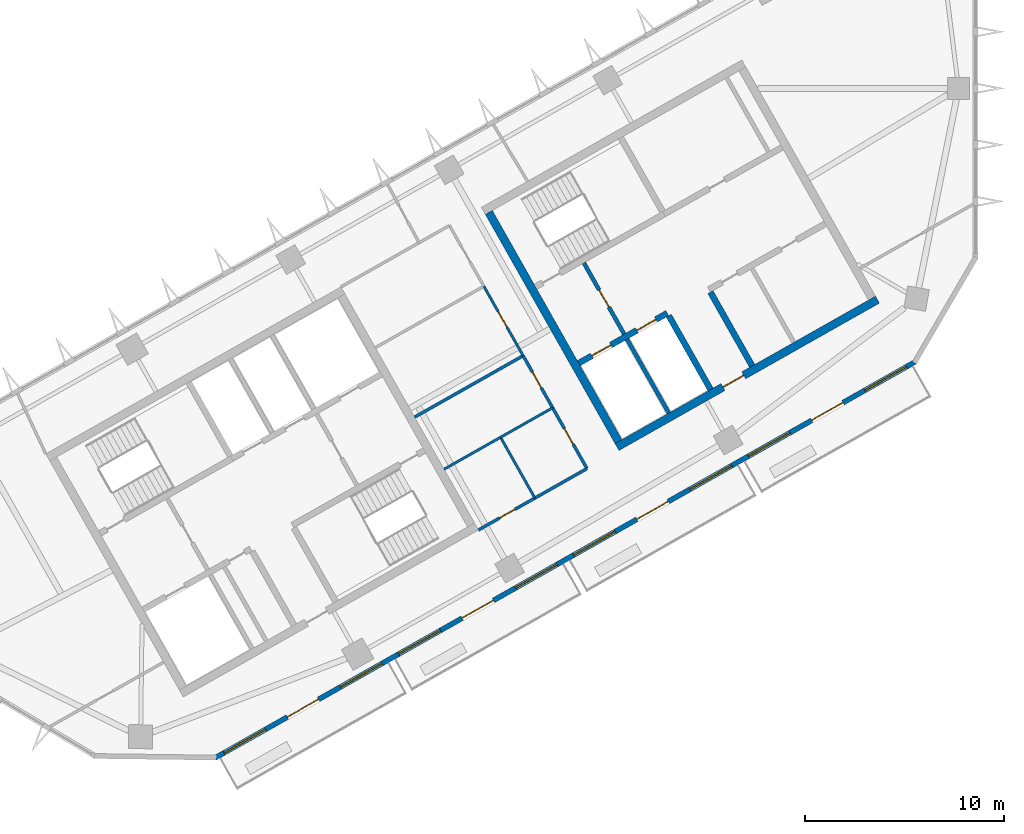
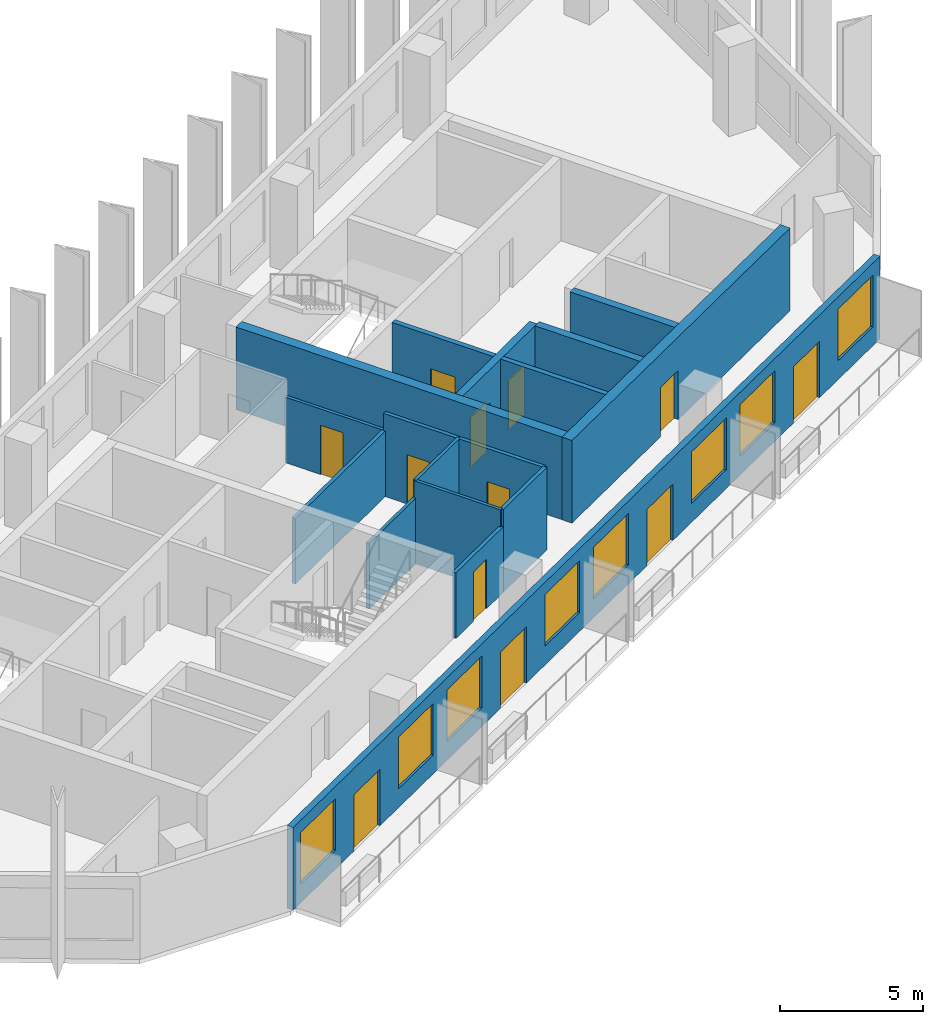
# One storey, part 4 of 8: 17 walls, 12 doors, 8 windows, 20 openings.
"""IFC4 building model written with IfcOpenShell, lengths in metres."""

import ifcopenshell
import ifcopenshell.guid

model = None  # the IFC model being written
_history = None  # IfcOwnerHistory: only IFC2X3 demands one
_inside = {}  # id of a spatial element -> (the spatial element, [elements in it])
_under = {}  # id of a project, library or spatial element -> (it, [spatial elements below it])
_declared = {}  # id of a project -> (the project, [libraries it declares])
_typed = {}  # id of a type object -> (the type object, [elements of that type])
_made_of = {}  # id of a material, layer set ... -> (it, [elements and type objects made of it])


def new_model(schema):
    """Start an empty IFC model of exactly this schema.

    Asked for "IFC4X3", IfcOpenShell would pick the latest addendum, in which some entities
    have other attributes; the version numbers below select the first issue.
    IFC2X3 requires an IfcOwnerHistory on every rooted entity: one is made here for all.
    """
    global model, _history
    if schema == "IFC4X3":
        model = ifcopenshell.file(schema_version=(4, 3, 0, 0))
    else:
        model = ifcopenshell.file(schema=schema)
    _inside.clear()
    _under.clear()
    _declared.clear()
    _typed.clear()
    _made_of.clear()
    _history = None
    if model.schema == "IFC2X3":
        org = make("IfcOrganization", Name="unknown")
        user = make(
            "IfcPersonAndOrganization",
            ThePerson=make("IfcPerson", FamilyName="unknown"),
            TheOrganization=org,
        )
        app = make(
            "IfcApplication",
            ApplicationDeveloper=org,
            Version="unknown",
            ApplicationFullName="unknown",
            ApplicationIdentifier="unknown",
        )
        _history = make(
            "IfcOwnerHistory",
            OwningUser=user,
            OwningApplication=app,
            ChangeAction="ADDED",
            CreationDate=0,
        )
    return model


def make(cls, **values):
    """One entity of the class cls with the attributes given. An attribute that is None is left unset."""
    return model.create_entity(
        cls, **{name: value for name, value in values.items() if value is not None}
    )


def rooted(cls, **values):
    """An entity with a GlobalId (a new one), such as an element, a storey or a relation."""
    return make(cls, GlobalId=ifcopenshell.guid.new(), OwnerHistory=_history, **values)


def si_unit(unit_type, name, prefix=None):
    """IfcSIUnit, for example si_unit("LENGTHUNIT", "METRE", prefix="MILLI")."""
    return make("IfcSIUnit", UnitType=unit_type, Prefix=prefix, Name=name)


def assignment(units):
    """IfcUnitAssignment: the units of a project."""
    return None if units is None else make("IfcUnitAssignment", Units=units)


def point(xyz):
    """IfcCartesianPoint."""
    return None if xyz is None else make("IfcCartesianPoint", Coordinates=xyz)


def direction(xyz):
    """IfcDirection."""
    return None if xyz is None else make("IfcDirection", DirectionRatios=xyz)


def frame(location, z_axis=None, x_axis=None):
    """IfcAxis2Placement3D, a coordinate frame: its origin and axes. An axis left out is left unset."""
    return make(
        "IfcAxis2Placement3D",
        Location=point(location),
        Axis=direction(z_axis),
        RefDirection=direction(x_axis),
    )


def frame_2d(location, x_axis=None):
    """IfcAxis2Placement2D, a coordinate frame in the plane: its origin and x axis."""
    return make(
        "IfcAxis2Placement2D", Location=point(location), RefDirection=direction(x_axis)
    )


def origin():
    """The frame at (0, 0, 0) with its axes left unset."""
    return frame((0.0, 0.0, 0.0))


def place(relative_to, where):
    """IfcLocalPlacement: puts the frame where relative to a parent placement (None: the world)."""
    return make(
        "IfcLocalPlacement", PlacementRelTo=relative_to, RelativePlacement=where
    )


def context(
    kind, dimensions, precision=None, world=None, true_north=None, identifier=None
):
    """IfcGeometricRepresentationContext, for example the 3D "Model" context."""
    return make(
        "IfcGeometricRepresentationContext",
        ContextIdentifier=identifier,
        ContextType=kind,
        CoordinateSpaceDimension=dimensions,
        Precision=precision,
        WorldCoordinateSystem=world,
        TrueNorth=true_north,
    )


def subcontext(parent, identifier, kind, view, scale=None):
    """IfcGeometricRepresentationSubContext, for example "Body" below "Model"."""
    return make(
        "IfcGeometricRepresentationSubContext",
        ContextIdentifier=identifier,
        ContextType=kind,
        ParentContext=parent,
        TargetScale=scale,
        TargetView=view,
    )


def project(units=None, contexts=None):
    """IfcProject with its units and contexts."""
    return rooted(
        "IfcProject",
        Name="project",
        RepresentationContexts=contexts,
        UnitsInContext=assignment(units),
    )


def spatial(cls, under=None, at=None, **own):
    """A site, building, storey or space (cls), placed at a placement, below another one or the project."""
    s = rooted(cls, ObjectPlacement=at, **own)
    if under is not None:
        _under.setdefault(under.id(), (under, []))[1].append(s)
    return s


def profile(cls, at=None, kind="AREA", **sizes):
    """A parametric profile (cls). Its sizes go by their IFC names, for example OverallWidth=200.0."""
    return make(cls, ProfileType=kind, Position=at, **sizes)


def rectangle(**sizes):
    """IfcRectangleProfileDef."""
    return profile("IfcRectangleProfileDef", **sizes)


def extrude(swept, where, along, depth):
    """IfcExtrudedAreaSolid: the profile swept, set in the frame where, extruded along a direction by depth."""
    return make(
        "IfcExtrudedAreaSolid",
        SweptArea=swept,
        Position=where,
        ExtrudedDirection=direction(along),
        Depth=depth,
    )


def shape(context_of_items, identifier, shape_type, items):
    """IfcShapeRepresentation: the items that make up one representation, for example the "Body"."""
    return make(
        "IfcShapeRepresentation",
        ContextOfItems=context_of_items,
        RepresentationIdentifier=identifier,
        RepresentationType=shape_type,
        Items=items,
    )


def material(Name=None, Category=None):
    """IfcMaterial."""
    return make("IfcMaterial", Name=Name, Category=Category)


def layer(
    of_material, thickness, ventilated=None, Name=None, Category=None, Priority=None
):
    """IfcMaterialLayer: one layer of a wall or slab, of a material (None: an air gap)."""
    return make(
        "IfcMaterialLayer",
        Material=of_material,
        LayerThickness=thickness,
        IsVentilated=ventilated,
        Name=Name,
        Category=Category,
        Priority=Priority,
    )


def layer_set(layers, Name=None):
    """IfcMaterialLayerSet."""
    return make("IfcMaterialLayerSet", MaterialLayers=layers, LayerSetName=Name)


def made_of(thing, what):
    """Note that an element or type object is made of a material, layer set ...; save() writes the relation."""
    if what is not None:
        _made_of.setdefault(what.id(), (what, []))[1].append(thing)
    return thing


def type_object(cls, material=None, **own):
    """A type object (cls), such as IfcWallType, which elements share."""
    return made_of(rooted(cls, **own), material)


def element(
    cls,
    number,
    at=None,
    inside=None,
    cuts=None,
    type_object=None,
    material=None,
    context=None,
    identifier="Body",
    shape_type=None,
    held_by="IfcProductDefinitionShape",
    body=None,
    shapes=None,
    **own,
):
    """One element of the class cls, such as IfcWall. Its Tag is "e" and its number.

    at: its placement. inside: the storey or other place that contains it. cuts: it is an
    opening in that element (IfcRelVoidsElement). A single representation is given by context,
    identifier, shape_type and body (its items); several are given by shapes. held_by: the class
    of the entity that holds the representations. save() writes the other relations.
    """
    e = rooted(cls, Tag="e%d" % number, ObjectPlacement=at, **own)
    if body is not None:
        shapes = [shape(context, identifier, shape_type, body)]
    if shapes is not None:
        e.Representation = make(held_by, Representations=shapes)
    if inside is not None:
        _inside.setdefault(inside.id(), (inside, []))[1].append(e)
    if cuts is not None:
        rooted(
            "IfcRelVoidsElement", RelatingBuildingElement=cuts, RelatedOpeningElement=e
        )
    if type_object is not None:
        _typed.setdefault(type_object.id(), (type_object, []))[1].append(e)
    return made_of(e, material)


def fill(opening, filler):
    """IfcRelFillsElement: the door or window that sits in an opening."""
    return rooted(
        "IfcRelFillsElement",
        RelatingOpeningElement=opening,
        RelatedBuildingElement=filler,
    )


def aggregate(whole, parts):
    """IfcRelAggregates: a whole, such as a stair, and the parts it consists of."""
    return rooted("IfcRelAggregates", RelatingObject=whole, RelatedObjects=parts)


def save(model, path):
    """Write the relations noted so far, then the file.

    IfcRelAggregates (storeys below a building ...), IfcRelContainedInSpatialStructure (elements
    in a storey), IfcRelDefinesByType, IfcRelAssociatesMaterial and IfcRelDeclares: one each for
    every whole, place, type object, material and project.
    """
    for whole, parts in _under.values():
        aggregate(whole, parts)
    for where, things in _inside.values():
        rooted(
            "IfcRelContainedInSpatialStructure",
            RelatedElements=things,
            RelatingStructure=where,
        )
    for kind, things in _typed.values():
        rooted("IfcRelDefinesByType", RelatedObjects=things, RelatingType=kind)
    for what, things in _made_of.values():
        rooted("IfcRelAssociatesMaterial", RelatedObjects=things, RelatingMaterial=what)
    for by, libraries in _declared.values():
        rooted("IfcRelDeclares", RelatingContext=by, RelatedDefinitions=libraries)
    model.write(path)


model = new_model("IFC4")

# Units and contexts
model_context = context("Model", 3, precision=1e-05, world=origin(), true_north=direction((0.0, 1.0)))
body_context = subcontext(model_context, "Body", "Model", "MODEL_VIEW")
ifc_project = project(units=[si_unit("LENGTHUNIT", "METRE"), si_unit("AREAUNIT", "SQUARE_METRE"), si_unit("VOLUMEUNIT", "CUBIC_METRE"), si_unit("PLANEANGLEUNIT", "RADIAN"), si_unit("MASSUNIT", "GRAM", prefix="KILO")], contexts=[model_context])

# Site, building, storey
site_placement = place(None, origin())
site = spatial("IfcSite", under=ifc_project, at=site_placement, CompositionType="ELEMENT")
building_placement = place(site_placement, origin())
building = spatial("IfcBuilding", under=site, at=building_placement, Name="Binnacle Exchange Tower", CompositionType="ELEMENT")
storey_placement = place(building_placement, frame((0.0, 0.0, 270.300048828125)))
storey = spatial("IfcBuildingStorey", under=building, at=storey_placement, Name="L60", CompositionType="ELEMENT", Elevation=270.300048828125)

# Wall, openings, doors
ifc_material_1 = material(Name="Concrete C70/85", Category="concrete")
ifc_layer_1 = layer(ifc_material_1, 0.300048828125)
ifc_layer_set_1 = layer_set([ifc_layer_1], Name="Core wall - front 300")
wall_type_1 = type_object("IfcWallType", Name="Core wall - front 300", PredefinedType="SOLIDWALL", material=ifc_layer_set_1)
wall_1_placement = place(storey_placement, frame((-19.89208984375, 46.2177734375, 0.0), z_axis=(0.0, 0.0, 1.0), x_axis=(0.870341639186, 0.492448404505, 0.0)))
wall_1 = element("IfcWall", 1, at=wall_1_placement, inside=storey, type_object=wall_type_1, Name="Core wall CRWC2", PredefinedType="SOLIDWALL", context=body_context, shape_type="SweptSolid", body=[
    extrude(rectangle(XDim=5.099853515625, YDim=0.300048828125, at=frame_2d((2.5498046875, 0.0))), origin(), (0.0, 0.0, 1.0), 3.52001953125),
])
opening_1_placement = place(wall_1_placement, frame((0.75, 0.0, 0.0)))
opening_1 = element("IfcOpeningElement", 2, at=opening_1_placement, cuts=wall_1, Name="Opening LD14", PredefinedType="OPENING", context=body_context, shape_type="SweptSolid", body=[
    extrude(rectangle(XDim=1.10009765625, YDim=2.10009765625, at=frame_2d((0.550048828125, 1.050048828125))), frame((0.0, 0.159912109375, 0.0), z_axis=(0.0, -1.0, 0.0), x_axis=(1.0, 0.0, 0.0)), (0.0, 0.0, 1.0), 0.320068359375),
])
opening_2_placement = place(wall_1_placement, frame((3.35009765625, 0.0, 0.0)))
opening_2 = element("IfcOpeningElement", 3, at=opening_2_placement, cuts=wall_1, Name="Opening LD11", PredefinedType="OPENING", context=body_context, shape_type="SweptSolid", body=[
    extrude(rectangle(XDim=1.10009765625, YDim=2.10009765625, at=frame_2d((0.550048828125, 1.050048828125))), frame((0.0, 0.159912109375, 0.0), z_axis=(0.0, -1.0, 0.0), x_axis=(1.0, 0.0, 0.0)), (0.0, 0.0, 1.0), 0.320068359375),
])
ifc_material_2 = material(Name="Steel door leaf", Category="steel")
door_type_1 = type_object("IfcDoorType", Name="Fire door - lift landing 1100", OperationType="NOTDEFINED", PredefinedType="DOOR", material=ifc_material_2)
door_1_placement = place(opening_1_placement, origin())
door_1 = element("IfcDoor", 4, at=door_1_placement, inside=storey, type_object=door_type_1, Name="Landing door LD14 L60", OperationType="DOUBLE_DOOR_SLIDING", OverallHeight=2.10009765625, OverallWidth=1.10009765625, PredefinedType="DOOR", context=body_context, shape_type="SweptSolid", body=[
    extrude(rectangle(XDim=1.10009765625, YDim=2.10009765625, at=frame_2d((0.550048828125, 1.050048828125))), frame((0.0, 0.02490234375, 0.0), z_axis=(0.0, -1.0, 0.0), x_axis=(1.0, 0.0, 0.0)), (0.0, 0.0, 1.0), 0.050048828125),
])
fill(opening_1, door_1)
door_2_placement = place(opening_2_placement, origin())
door_2 = element("IfcDoor", 5, at=door_2_placement, inside=storey, type_object=door_type_1, Name="Landing door LD11 L60", OperationType="DOUBLE_DOOR_SLIDING", OverallHeight=2.10009765625, OverallWidth=1.10009765625, PredefinedType="DOOR", context=body_context, shape_type="SweptSolid", body=[
    extrude(rectangle(XDim=1.10009765625, YDim=2.10009765625, at=frame_2d((0.550048828125, 1.050048828125))), frame((0.0, 0.02490234375, 0.0), z_axis=(0.0, -1.0, 0.0), x_axis=(1.0, 0.0, 0.0)), (0.0, 0.0, 1.0), 0.050048828125),
])
fill(opening_2, door_2)

# Walls
wall_2_placement = place(storey_placement, frame((-15.37939453125, 48.5986328125, 0.0), z_axis=(0.0, 0.0, 1.0), x_axis=(0.492422543467, -0.870356271124, 0.0)))
element("IfcWall", 6, at=wall_2_placement, inside=storey, type_object=wall_type_1, Name="Core wall CRWC13", PredefinedType="SOLIDWALL", context=body_context, shape_type="SweptSolid", body=[
    extrude(rectangle(XDim=4.25, YDim=0.300048828125, at=frame_2d((2.125, 0.0))), origin(), (0.0, 0.0, 1.0), 3.52001953125),
])
wall_3_placement = place(storey_placement, frame((-13.29052734375, 49.780517578125, 0.0), z_axis=(0.0, 0.0, 1.0), x_axis=(0.492397924348, -0.870370199454, 0.0)))
element("IfcWall", 7, at=wall_3_placement, inside=storey, type_object=wall_type_1, Name="Core wall CRWC15", PredefinedType="SOLIDWALL", context=body_context, shape_type="SweptSolid", body=[
    extrude(rectangle(XDim=4.250244140625, YDim=0.300048828125, at=frame_2d((2.125, 0.0))), origin(), (0.0, 0.0, 1.0), 3.52001953125),
])

# Wall, opening, door
ifc_layer_2 = layer(ifc_material_1, 0.39990234375)
ifc_layer_set_2 = layer_set([ifc_layer_2], Name="Core wall - outer 400")
wall_type_2 = type_object("IfcWallType", Name="Core wall - outer 400", PredefinedType="SOLIDWALL", material=ifc_layer_set_2)
wall_4_placement = place(storey_placement, frame((-17.97509765625, 42.01708984375, 0.0), z_axis=(0.0, 0.0, 1.0), x_axis=(0.87034965173, 0.492434243055, 0.0)))
wall_4 = element("IfcWall", 8, at=wall_4_placement, inside=storey, type_object=wall_type_2, Name="Core wall CRWC1", PredefinedType="SOLIDWALL", context=body_context, shape_type="SweptSolid", body=[
    extrude(rectangle(XDim=15.0, YDim=0.39990234375, at=frame_2d((7.5, 0.0))), origin(), (0.0, 0.0, 1.0), 3.52001953125),
])
opening_3_placement = place(wall_4_placement, frame((6.10009765625, 0.0, 0.0)))
opening_3 = element("IfcOpeningElement", 9, at=opening_3_placement, cuts=wall_4, Name="Opening DC7", PredefinedType="OPENING", context=body_context, shape_type="SweptSolid", body=[
    extrude(rectangle(XDim=1.199951171875, YDim=2.10009765625, at=frame_2d((0.60009765625, 1.050048828125))), frame((0.0, 0.2099609375, 0.0), z_axis=(0.0, -1.0, 0.0), x_axis=(1.0, 0.0, 0.0)), (0.0, 0.0, 1.0), 0.419921875),
])
door_type_2 = type_object("IfcDoorType", Name="Fire door 1200", OperationType="NOTDEFINED", PredefinedType="DOOR", material=ifc_material_2)
door_3_placement = place(opening_3_placement, frame((1.199951171875, 0.0, 0.0), z_axis=(0.0, 0.0, 1.0), x_axis=(-1.0, 0.0, 0.0)))
door_3 = element("IfcDoor", 10, at=door_3_placement, inside=storey, type_object=door_type_2, Name="Lift lobby entrance door core C", OperationType="SINGLE_SWING_RIGHT", OverallHeight=2.10009765625, OverallWidth=1.199951171875, PredefinedType="DOOR", context=body_context, shape_type="SweptSolid", body=[
    extrude(rectangle(XDim=1.199951171875, YDim=2.10009765625, at=frame_2d((0.60009765625, 1.050048828125))), frame((0.0, 0.02490234375, 0.0), z_axis=(0.0, -1.0, 0.0), x_axis=(1.0, 0.0, 0.0)), (0.0, 0.0, 1.0), 0.050048828125),
])
fill(opening_3, door_3)

# Wall
wall_5_placement = place(storey_placement, frame((-24.399658203125, 53.778564453125, 0.0), z_axis=(0.0, 0.0, 1.0), x_axis=(0.492421663121, -0.870356769198, 0.0)))
element("IfcWall", 11, at=wall_5_placement, inside=storey, type_object=wall_type_2, Name="Core wall CRWC7", PredefinedType="SOLIDWALL", context=body_context, shape_type="SweptSolid", body=[
    extrude(rectangle(XDim=13.199951171875, YDim=0.39990234375, at=frame_2d((6.60009765625, 0.0))), origin(), (0.0, 0.0, 1.0), 3.52001953125),
])

# Wall, openings, doors, windows
ifc_material_3 = material(Name="Bronze aluminium cladding", Category="aluminium")
ifc_layer_3 = layer(ifc_material_3, 0.25)
ifc_layer_set_3 = layer_set([ifc_layer_3], Name="External wall - window wall 250")
wall_type_3 = type_object("IfcWallType", Name="External wall - window wall 250", PredefinedType="STANDARD", material=ifc_layer_set_3)
wall_6_placement = place(storey_placement, frame((-3.016845703125, 46.293212890625, 0.0), z_axis=(0.0, 0.0, 1.0), x_axis=(-0.870355474887, -0.492423950812, 0.0)))
wall_6 = element("IfcWall", 12, at=wall_6_placement, inside=storey, type_object=wall_type_3, Name="External wall EW-H07 L60", PredefinedType="STANDARD", context=body_context, shape_type="SweptSolid", body=[
    extrude(rectangle(XDim=40.34033203125, YDim=0.25, at=frame_2d((20.170166015625, 0.0))), origin(), (0.0, 0.0, 1.0), 3.52001953125),
])
opening_4_placement = place(wall_6_placement, frame((37.428466796875, 0.0, 0.800048828125)))
opening_4 = element("IfcOpeningElement", 13, at=opening_4_placement, cuts=wall_6, Name="Opening WR2", PredefinedType="OPENING", context=body_context, shape_type="SweptSolid", body=[
    extrude(rectangle(XDim=2.39990234375, YDim=2.199951171875, at=frame_2d((1.199951171875, 1.10009765625))), frame((0.0, 0.135009765625, 0.0), z_axis=(0.0, -1.0, 0.0), x_axis=(1.0, 0.0, 0.0)), (0.0, 0.0, 1.0), 0.27001953125),
])
opening_5_placement = place(wall_6_placement, frame((34.372314453125, 0.0, 0.0)))
opening_5 = element("IfcOpeningElement", 14, at=opening_5_placement, cuts=wall_6, Name="Opening D-FS18-01", PredefinedType="OPENING", context=body_context, shape_type="SweptSolid", body=[
    extrude(rectangle(XDim=1.800048828125, YDim=2.39990234375, at=frame_2d((0.89990234375, 1.199951171875))), frame((0.0, 0.135009765625, 0.0), z_axis=(0.0, -1.0, 0.0), x_axis=(1.0, 0.0, 0.0)), (0.0, 0.0, 1.0), 0.27001953125),
])
opening_6_placement = place(wall_6_placement, frame((30.71630859375, 0.0, 0.800048828125)))
opening_6 = element("IfcOpeningElement", 15, at=opening_6_placement, cuts=wall_6, Name="Opening WR2", PredefinedType="OPENING", context=body_context, shape_type="SweptSolid", body=[
    extrude(rectangle(XDim=2.39990234375, YDim=2.199951171875, at=frame_2d((1.199951171875, 1.10009765625))), frame((0.0, 0.135009765625, 0.0), z_axis=(0.0, -1.0, 0.0), x_axis=(1.0, 0.0, 0.0)), (0.0, 0.0, 1.0), 0.27001953125),
])
opening_7_placement = place(wall_6_placement, frame((27.3603515625, 0.0, 0.800048828125)))
opening_7 = element("IfcOpeningElement", 16, at=opening_7_placement, cuts=wall_6, Name="Opening WR2", PredefinedType="OPENING", context=body_context, shape_type="SweptSolid", body=[
    extrude(rectangle(XDim=2.39990234375, YDim=2.199951171875, at=frame_2d((1.199951171875, 1.10009765625))), frame((0.0, 0.135009765625, 0.0), z_axis=(0.0, -1.0, 0.0), x_axis=(1.0, 0.0, 0.0)), (0.0, 0.0, 1.0), 0.27001953125),
])
opening_8_placement = place(wall_6_placement, frame((24.30419921875, 0.0, 0.0)))
opening_8 = element("IfcOpeningElement", 17, at=opening_8_placement, cuts=wall_6, Name="Opening D-FS18-02", PredefinedType="OPENING", context=body_context, shape_type="SweptSolid", body=[
    extrude(rectangle(XDim=1.800048828125, YDim=2.39990234375, at=frame_2d((0.89990234375, 1.199951171875))), frame((0.0, 0.135009765625, 0.0), z_axis=(0.0, -1.0, 0.0), x_axis=(1.0, 0.0, 0.0)), (0.0, 0.0, 1.0), 0.27001953125),
])
opening_9_placement = place(wall_6_placement, frame((20.648193359375, 0.0, 0.800048828125)))
opening_9 = element("IfcOpeningElement", 18, at=opening_9_placement, cuts=wall_6, Name="Opening WR2", PredefinedType="OPENING", context=body_context, shape_type="SweptSolid", body=[
    extrude(rectangle(XDim=2.39990234375, YDim=2.199951171875, at=frame_2d((1.199951171875, 1.10009765625))), frame((0.0, 0.135009765625, 0.0), z_axis=(0.0, -1.0, 0.0), x_axis=(1.0, 0.0, 0.0)), (0.0, 0.0, 1.0), 0.27001953125),
])
opening_10_placement = place(wall_6_placement, frame((17.2919921875, 0.0, 0.800048828125)))
opening_10 = element("IfcOpeningElement", 19, at=opening_10_placement, cuts=wall_6, Name="Opening WR2", PredefinedType="OPENING", context=body_context, shape_type="SweptSolid", body=[
    extrude(rectangle(XDim=2.39990234375, YDim=2.199951171875, at=frame_2d((1.199951171875, 1.10009765625))), frame((0.0, 0.135009765625, 0.0), z_axis=(0.0, -1.0, 0.0), x_axis=(1.0, 0.0, 0.0)), (0.0, 0.0, 1.0), 0.27001953125),
])
opening_11_placement = place(wall_6_placement, frame((14.236083984375, 0.0, 0.0)))
opening_11 = element("IfcOpeningElement", 20, at=opening_11_placement, cuts=wall_6, Name="Opening D-FS18-03", PredefinedType="OPENING", context=body_context, shape_type="SweptSolid", body=[
    extrude(rectangle(XDim=1.800048828125, YDim=2.39990234375, at=frame_2d((0.89990234375, 1.199951171875))), frame((0.0, 0.135009765625, 0.0), z_axis=(0.0, -1.0, 0.0), x_axis=(1.0, 0.0, 0.0)), (0.0, 0.0, 1.0), 0.27001953125),
])
opening_12_placement = place(wall_6_placement, frame((10.580078125, 0.0, 0.800048828125)))
opening_12 = element("IfcOpeningElement", 21, at=opening_12_placement, cuts=wall_6, Name="Opening WR2", PredefinedType="OPENING", context=body_context, shape_type="SweptSolid", body=[
    extrude(rectangle(XDim=2.39990234375, YDim=2.199951171875, at=frame_2d((1.199951171875, 1.10009765625))), frame((0.0, 0.135009765625, 0.0), z_axis=(0.0, -1.0, 0.0), x_axis=(1.0, 0.0, 0.0)), (0.0, 0.0, 1.0), 0.27001953125),
])
opening_13_placement = place(wall_6_placement, frame((7.223876953125, 0.0, 0.800048828125)))
opening_13 = element("IfcOpeningElement", 22, at=opening_13_placement, cuts=wall_6, Name="Opening WR2", PredefinedType="OPENING", context=body_context, shape_type="SweptSolid", body=[
    extrude(rectangle(XDim=2.39990234375, YDim=2.199951171875, at=frame_2d((1.199951171875, 1.10009765625))), frame((0.0, 0.135009765625, 0.0), z_axis=(0.0, -1.0, 0.0), x_axis=(1.0, 0.0, 0.0)), (0.0, 0.0, 1.0), 0.27001953125),
])
opening_14_placement = place(wall_6_placement, frame((4.16796875, 0.0, 0.0)))
opening_14 = element("IfcOpeningElement", 23, at=opening_14_placement, cuts=wall_6, Name="Opening D-FS18-04", PredefinedType="OPENING", context=body_context, shape_type="SweptSolid", body=[
    extrude(rectangle(XDim=1.800048828125, YDim=2.39990234375, at=frame_2d((0.89990234375, 1.199951171875))), frame((0.0, 0.135009765625, 0.0), z_axis=(0.0, -1.0, 0.0), x_axis=(1.0, 0.0, 0.0)), (0.0, 0.0, 1.0), 0.27001953125),
])
opening_15_placement = place(wall_6_placement, frame((0.51171875, 0.0, 0.800048828125)))
opening_15 = element("IfcOpeningElement", 24, at=opening_15_placement, cuts=wall_6, Name="Opening WR2", PredefinedType="OPENING", context=body_context, shape_type="SweptSolid", body=[
    extrude(rectangle(XDim=2.39990234375, YDim=2.199951171875, at=frame_2d((1.199951171875, 1.10009765625))), frame((0.0, 0.135009765625, 0.0), z_axis=(0.0, -1.0, 0.0), x_axis=(1.0, 0.0, 0.0)), (0.0, 0.0, 1.0), 0.27001953125),
])
ifc_material_4 = material(Name="Bronze anodised aluminium frame", Category="aluminium")
door_type_3 = type_object("IfcDoorType", Name="DB DOOR 1800x2400", OperationType="DOUBLE_DOOR_SINGLE_SWING", PredefinedType="DOOR", material=ifc_material_4)
door_4_placement = place(opening_5_placement, origin())
door_4 = element("IfcDoor", 25, at=door_4_placement, inside=storey, type_object=door_type_3, Name="Door D-FS18-01 L60", OperationType="DOUBLE_DOOR_SINGLE_SWING", OverallHeight=2.39990234375, OverallWidth=1.800048828125, PredefinedType="DOOR", context=body_context, shape_type="SweptSolid", body=[
    extrude(rectangle(XDim=1.800048828125, YDim=2.39990234375, at=frame_2d((0.89990234375, 1.199951171875))), frame((0.0, 0.02490234375, 0.0), z_axis=(0.0, -1.0, 0.0), x_axis=(1.0, 0.0, 0.0)), (0.0, 0.0, 1.0), 0.050048828125),
])
fill(opening_5, door_4)
door_5_placement = place(opening_8_placement, origin())
door_5 = element("IfcDoor", 26, at=door_5_placement, inside=storey, type_object=door_type_3, Name="Door D-FS18-02 L60", OperationType="DOUBLE_DOOR_SINGLE_SWING", OverallHeight=2.39990234375, OverallWidth=1.800048828125, PredefinedType="DOOR", context=body_context, shape_type="SweptSolid", body=[
    extrude(rectangle(XDim=1.800048828125, YDim=2.39990234375, at=frame_2d((0.89990234375, 1.199951171875))), frame((0.0, 0.02490234375, 0.0), z_axis=(0.0, -1.0, 0.0), x_axis=(1.0, 0.0, 0.0)), (0.0, 0.0, 1.0), 0.050048828125),
])
fill(opening_8, door_5)
door_6_placement = place(opening_11_placement, origin())
door_6 = element("IfcDoor", 27, at=door_6_placement, inside=storey, type_object=door_type_3, Name="Door D-FS18-03 L60", OperationType="DOUBLE_DOOR_SINGLE_SWING", OverallHeight=2.39990234375, OverallWidth=1.800048828125, PredefinedType="DOOR", context=body_context, shape_type="SweptSolid", body=[
    extrude(rectangle(XDim=1.800048828125, YDim=2.39990234375, at=frame_2d((0.89990234375, 1.199951171875))), frame((0.0, 0.02490234375, 0.0), z_axis=(0.0, -1.0, 0.0), x_axis=(1.0, 0.0, 0.0)), (0.0, 0.0, 1.0), 0.050048828125),
])
fill(opening_11, door_6)
door_7_placement = place(opening_14_placement, origin())
door_7 = element("IfcDoor", 28, at=door_7_placement, inside=storey, type_object=door_type_3, Name="Door D-FS18-04 L60", OperationType="DOUBLE_DOOR_SINGLE_SWING", OverallHeight=2.39990234375, OverallWidth=1.800048828125, PredefinedType="DOOR", context=body_context, shape_type="SweptSolid", body=[
    extrude(rectangle(XDim=1.800048828125, YDim=2.39990234375, at=frame_2d((0.89990234375, 1.199951171875))), frame((0.0, 0.02490234375, 0.0), z_axis=(0.0, -1.0, 0.0), x_axis=(1.0, 0.0, 0.0)), (0.0, 0.0, 1.0), 0.050048828125),
])
fill(opening_14, door_7)
window_type = type_object("IfcWindowType", Name="WR2 WINDOW 2400x2200", PartitioningType="SINGLE_PANEL", PredefinedType="WINDOW", material=ifc_material_4)
window_1_placement = place(opening_4_placement, origin())
window_1 = element("IfcWindow", 29, at=window_1_placement, inside=storey, type_object=window_type, Name="Window WR2 L60", OverallHeight=2.199951171875, OverallWidth=2.39990234375, PartitioningType="SINGLE_PANEL", PredefinedType="WINDOW", context=body_context, shape_type="SweptSolid", body=[
    extrude(rectangle(XDim=2.39990234375, YDim=2.199951171875, at=frame_2d((1.199951171875, 1.10009765625))), frame((0.0, 0.030029296875, 0.0), z_axis=(0.0, -1.0, 0.0), x_axis=(1.0, 0.0, 0.0)), (0.0, 0.0, 1.0), 0.06005859375),
])
fill(opening_4, window_1)
window_2_placement = place(opening_6_placement, origin())
window_2 = element("IfcWindow", 30, at=window_2_placement, inside=storey, type_object=window_type, Name="Window WR2 L60", OverallHeight=2.199951171875, OverallWidth=2.39990234375, PartitioningType="SINGLE_PANEL", PredefinedType="WINDOW", context=body_context, shape_type="SweptSolid", body=[
    extrude(rectangle(XDim=2.39990234375, YDim=2.199951171875, at=frame_2d((1.199951171875, 1.10009765625))), frame((0.0, 0.030029296875, 0.0), z_axis=(0.0, -1.0, 0.0), x_axis=(1.0, 0.0, 0.0)), (0.0, 0.0, 1.0), 0.06005859375),
])
fill(opening_6, window_2)
window_3_placement = place(opening_7_placement, origin())
window_3 = element("IfcWindow", 31, at=window_3_placement, inside=storey, type_object=window_type, Name="Window WR2 L60", OverallHeight=2.199951171875, OverallWidth=2.39990234375, PartitioningType="SINGLE_PANEL", PredefinedType="WINDOW", context=body_context, shape_type="SweptSolid", body=[
    extrude(rectangle(XDim=2.39990234375, YDim=2.199951171875, at=frame_2d((1.199951171875, 1.10009765625))), frame((0.0, 0.030029296875, 0.0), z_axis=(0.0, -1.0, 0.0), x_axis=(1.0, 0.0, 0.0)), (0.0, 0.0, 1.0), 0.06005859375),
])
fill(opening_7, window_3)
window_4_placement = place(opening_9_placement, origin())
window_4 = element("IfcWindow", 32, at=window_4_placement, inside=storey, type_object=window_type, Name="Window WR2 L60", OverallHeight=2.199951171875, OverallWidth=2.39990234375, PartitioningType="SINGLE_PANEL", PredefinedType="WINDOW", context=body_context, shape_type="SweptSolid", body=[
    extrude(rectangle(XDim=2.39990234375, YDim=2.199951171875, at=frame_2d((1.199951171875, 1.10009765625))), frame((0.0, 0.030029296875, 0.0), z_axis=(0.0, -1.0, 0.0), x_axis=(1.0, 0.0, 0.0)), (0.0, 0.0, 1.0), 0.06005859375),
])
fill(opening_9, window_4)
window_5_placement = place(opening_10_placement, origin())
window_5 = element("IfcWindow", 33, at=window_5_placement, inside=storey, type_object=window_type, Name="Window WR2 L60", OverallHeight=2.199951171875, OverallWidth=2.39990234375, PartitioningType="SINGLE_PANEL", PredefinedType="WINDOW", context=body_context, shape_type="SweptSolid", body=[
    extrude(rectangle(XDim=2.39990234375, YDim=2.199951171875, at=frame_2d((1.199951171875, 1.10009765625))), frame((0.0, 0.030029296875, 0.0), z_axis=(0.0, -1.0, 0.0), x_axis=(1.0, 0.0, 0.0)), (0.0, 0.0, 1.0), 0.06005859375),
])
fill(opening_10, window_5)
window_6_placement = place(opening_12_placement, origin())
window_6 = element("IfcWindow", 34, at=window_6_placement, inside=storey, type_object=window_type, Name="Window WR2 L60", OverallHeight=2.199951171875, OverallWidth=2.39990234375, PartitioningType="SINGLE_PANEL", PredefinedType="WINDOW", context=body_context, shape_type="SweptSolid", body=[
    extrude(rectangle(XDim=2.39990234375, YDim=2.199951171875, at=frame_2d((1.199951171875, 1.10009765625))), frame((0.0, 0.030029296875, 0.0), z_axis=(0.0, -1.0, 0.0), x_axis=(1.0, 0.0, 0.0)), (0.0, 0.0, 1.0), 0.06005859375),
])
fill(opening_12, window_6)
window_7_placement = place(opening_13_placement, origin())
window_7 = element("IfcWindow", 35, at=window_7_placement, inside=storey, type_object=window_type, Name="Window WR2 L60", OverallHeight=2.199951171875, OverallWidth=2.39990234375, PartitioningType="SINGLE_PANEL", PredefinedType="WINDOW", context=body_context, shape_type="SweptSolid", body=[
    extrude(rectangle(XDim=2.39990234375, YDim=2.199951171875, at=frame_2d((1.199951171875, 1.10009765625))), frame((0.0, 0.030029296875, 0.0), z_axis=(0.0, -1.0, 0.0), x_axis=(1.0, 0.0, 0.0)), (0.0, 0.0, 1.0), 0.06005859375),
])
fill(opening_13, window_7)
window_8_placement = place(opening_15_placement, origin())
window_8 = element("IfcWindow", 36, at=window_8_placement, inside=storey, type_object=window_type, Name="Window WR2 L60", OverallHeight=2.199951171875, OverallWidth=2.39990234375, PartitioningType="SINGLE_PANEL", PredefinedType="WINDOW", context=body_context, shape_type="SweptSolid", body=[
    extrude(rectangle(XDim=2.39990234375, YDim=2.199951171875, at=frame_2d((1.199951171875, 1.10009765625))), frame((0.0, 0.030029296875, 0.0), z_axis=(0.0, -1.0, 0.0), x_axis=(1.0, 0.0, 0.0)), (0.0, 0.0, 1.0), 0.06005859375),
])
fill(opening_15, window_8)

# Wall, opening, door
ifc_material_5 = material(Name="Masonry block wall", Category="masonry")
ifc_layer_4 = layer(ifc_material_5, 0.199951171875)
ifc_layer_set_4 = layer_set([ifc_layer_4], Name="Fire wall - vestibule 200")
wall_type_4 = type_object("IfcWallType", Name="Fire wall - vestibule 200", PredefinedType="PARTITIONING", material=ifc_layer_set_4)
wall_7_placement = place(storey_placement, frame((-19.635009765625, 51.246337890625, 0.0), z_axis=(0.0, 0.0, 1.0), x_axis=(0.492408451753, -0.87036424366, 0.0)))
wall_7 = element("IfcWall", 37, at=wall_7_placement, inside=storey, type_object=wall_type_4, Name="Core wall CRWC10", PredefinedType="PARTITIONING", context=body_context, shape_type="SweptSolid", body=[
    extrude(rectangle(XDim=4.099853515625, YDim=0.199951171875, at=frame_2d((2.0498046875, 0.0))), origin(), (0.0, 0.0, 1.0), 3.52001953125),
])
opening_16_placement = place(wall_7_placement, frame((1.550048828125, 0.0, 0.0)))
opening_16 = element("IfcOpeningElement", 38, at=opening_16_placement, cuts=wall_7, Name="Opening DC3", PredefinedType="OPENING", context=body_context, shape_type="SweptSolid", body=[
    extrude(rectangle(XDim=1.0, YDim=2.10009765625, at=frame_2d((0.5, 1.050048828125))), frame((0.0, 0.10986328125, 0.0), z_axis=(0.0, -1.0, 0.0), x_axis=(1.0, 0.0, 0.0)), (0.0, 0.0, 1.0), 0.219970703125),
])
door_type_4 = type_object("IfcDoorType", Name="Fire door 1000", OperationType="NOTDEFINED", PredefinedType="DOOR", material=ifc_material_2)
door_8_placement = place(opening_16_placement, frame((1.0, 0.0, 0.0), z_axis=(0.0, 0.0, 1.0), x_axis=(-1.0, 0.0, 0.0)))
door_8 = element("IfcDoor", 39, at=door_8_placement, inside=storey, type_object=door_type_4, Name="Vestibule door VEST-W", OperationType="SINGLE_SWING_RIGHT", OverallHeight=2.10009765625, OverallWidth=1.0, PredefinedType="DOOR", context=body_context, shape_type="SweptSolid", body=[
    extrude(rectangle(XDim=1.0, YDim=2.10009765625, at=frame_2d((0.5, 1.050048828125))), frame((0.0, 0.02490234375, 0.0), z_axis=(0.0, -1.0, 0.0), x_axis=(1.0, 0.0, 0.0)), (0.0, 0.0, 1.0), 0.050048828125),
])
fill(opening_16, door_8)

# Wall
ifc_material_6 = material(Name="Gypsum partition fire rated")
ifc_layer_5 = layer(ifc_material_6, 0.14990234375)
ifc_layer_set_5 = layer_set([ifc_layer_5], Name="Fire-rated partition 150")
wall_type_5 = type_object("IfcWallType", Name="Fire-rated partition 150", PredefinedType="PARTITIONING", material=ifc_layer_set_5)
wall_8_placement = place(storey_placement, frame((-28.118896484375, 43.51611328125, 0.0), z_axis=(0.0, 0.0, 1.0), x_axis=(0.870310250913, 0.49250387527, 0.0)))
element("IfcWall", 40, at=wall_8_placement, inside=storey, type_object=wall_type_5, Name="Partition W06", PredefinedType="PARTITIONING", context=body_context, shape_type="SweptSolid", body=[
    extrude(rectangle(XDim=6.24951171875, YDim=0.14990234375, at=frame_2d((3.124755859375, 0.0))), origin(), (0.0, 0.0, 1.0), 2.7919921875),
])

# Wall, opening, door
wall_9_placement = place(storey_placement, frame((-24.9189453125, 37.85888671875, 0.0), z_axis=(0.0, 0.0, 1.0), x_axis=(0.870407498556, 0.49233198805, 0.0)))
wall_9 = element("IfcWall", 41, at=wall_9_placement, inside=storey, type_object=wall_type_5, Name="Partition W10", PredefinedType="PARTITIONING", context=body_context, shape_type="SweptSolid", body=[
    extrude(rectangle(XDim=3.25, YDim=0.14990234375, at=frame_2d((1.625, 0.0))), origin(), (0.0, 0.0, 1.0), 2.7919921875),
])
opening_17_placement = place(wall_9_placement, frame((1.199951171875, 0.0, 0.0)))
opening_17 = element("IfcOpeningElement", 42, at=opening_17_placement, cuts=wall_9, Name="Opening DL58-03", PredefinedType="OPENING", context=body_context, shape_type="SweptSolid", body=[
    extrude(rectangle(XDim=0.89990234375, YDim=2.10009765625, at=frame_2d((0.449951171875, 1.050048828125))), frame((0.0, 0.0849609375, 0.0), z_axis=(0.0, -1.0, 0.0), x_axis=(1.0, 0.0, 0.0)), (0.0, 0.0, 1.0), 0.169921875),
])
door_type_5 = type_object("IfcDoorType", Name="Fire door 900", OperationType="NOTDEFINED", PredefinedType="DOOR", material=ifc_material_2)
door_9_placement = place(opening_17_placement, origin())
door_9 = element("IfcDoor", 43, at=door_9_placement, inside=storey, type_object=door_type_5, Name="Door DL58-03", OperationType="SINGLE_SWING_RIGHT", OverallHeight=2.10009765625, OverallWidth=0.89990234375, PredefinedType="DOOR", context=body_context, shape_type="SweptSolid", body=[
    extrude(rectangle(XDim=0.89990234375, YDim=2.10009765625, at=frame_2d((0.449951171875, 1.050048828125))), frame((0.0, 0.02490234375, 0.0), z_axis=(0.0, -1.0, 0.0), x_axis=(1.0, 0.0, 0.0)), (0.0, 0.0, 1.0), 0.050048828125),
])
fill(opening_17, door_9)

wall_10_placement = place(storey_placement, frame((-22.679931640625, 46.593994140625, 0.0), z_axis=(0.0, 0.0, 1.0), x_axis=(0.492612172641, -0.870248957119, 0.0)))
wall_10 = element("IfcWall", 44, at=wall_10_placement, inside=storey, type_object=wall_type_5, Name="Partition W15", PredefinedType="PARTITIONING", context=body_context, shape_type="SweptSolid", body=[
    extrude(rectangle(XDim=3.00048828125, YDim=0.14990234375, at=frame_2d((1.500244140625, 0.0))), origin(), (0.0, 0.0, 1.0), 3.52001953125),
])
opening_18_placement = place(wall_10_placement, frame((0.949951171875, 0.0, 0.0)))
opening_18 = element("IfcOpeningElement", 45, at=opening_18_placement, cuts=wall_10, Name="Opening DL58-05", PredefinedType="OPENING", context=body_context, shape_type="SweptSolid", body=[
    extrude(rectangle(XDim=0.89990234375, YDim=2.10009765625, at=frame_2d((0.449951171875, 1.050048828125))), frame((0.0, 0.0849609375, 0.0), z_axis=(0.0, -1.0, 0.0), x_axis=(1.0, 0.0, 0.0)), (0.0, 0.0, 1.0), 0.169921875),
])
door_10_placement = place(opening_18_placement, frame((0.89990234375, 0.0, 0.0), z_axis=(0.0, 0.0, 1.0), x_axis=(-1.0, 0.0, 0.0)))
door_10 = element("IfcDoor", 46, at=door_10_placement, inside=storey, type_object=door_type_5, Name="Door DL58-05", OperationType="SINGLE_SWING_RIGHT", OverallHeight=2.10009765625, OverallWidth=0.89990234375, PredefinedType="DOOR", context=body_context, shape_type="SweptSolid", body=[
    extrude(rectangle(XDim=0.89990234375, YDim=2.10009765625, at=frame_2d((0.449951171875, 1.050048828125))), frame((0.0, 0.02490234375, 0.0), z_axis=(0.0, -1.0, 0.0), x_axis=(1.0, 0.0, 0.0)), (0.0, 0.0, 1.0), 0.050048828125),
])
fill(opening_18, door_10)

# Wall
wall_11_placement = place(storey_placement, frame((-22.090087890625, 39.458984375, 0.0), z_axis=(0.0, 0.0, 1.0), x_axis=(0.870248957119, 0.492612172641, 0.0)))
element("IfcWall", 47, at=wall_11_placement, inside=storey, type_object=wall_type_5, Name="Partition W16", PredefinedType="PARTITIONING", context=body_context, shape_type="SweptSolid", body=[
    extrude(rectangle(XDim=3.00048828125, YDim=0.14990234375, at=frame_2d((1.500244140625, 0.0))), origin(), (0.0, 0.0, 1.0), 3.52001953125),
])

# Wall, opening, door
wall_12_placement = place(storey_placement, frame((-21.201904296875, 43.98291015625, 0.0), z_axis=(0.0, 0.0, 1.0), x_axis=(0.492339993675, -0.870402970255, 0.0)))
wall_12 = element("IfcWall", 48, at=wall_12_placement, inside=storey, type_object=wall_type_5, Name="Partition W17", PredefinedType="PARTITIONING", context=body_context, shape_type="SweptSolid", body=[
    extrude(rectangle(XDim=3.49951171875, YDim=0.14990234375, at=frame_2d((1.749755859375, 0.0))), origin(), (0.0, 0.0, 1.0), 3.52001953125),
])
opening_19_placement = place(wall_12_placement, frame((1.199951171875, 0.0, 0.0)))
opening_19 = element("IfcOpeningElement", 49, at=opening_19_placement, cuts=wall_12, Name="Opening DL58-04", PredefinedType="OPENING", context=body_context, shape_type="SweptSolid", body=[
    extrude(rectangle(XDim=0.89990234375, YDim=2.10009765625, at=frame_2d((0.449951171875, 1.050048828125))), frame((0.0, 0.0849609375, 0.0), z_axis=(0.0, -1.0, 0.0), x_axis=(1.0, 0.0, 0.0)), (0.0, 0.0, 1.0), 0.169921875),
])
door_11_placement = place(opening_19_placement, frame((0.89990234375, 0.0, 0.0), z_axis=(0.0, 0.0, 1.0), x_axis=(-1.0, 0.0, 0.0)))
door_11 = element("IfcDoor", 50, at=door_11_placement, inside=storey, type_object=door_type_5, Name="Door DL58-04", OperationType="SINGLE_SWING_RIGHT", OverallHeight=2.10009765625, OverallWidth=0.89990234375, PredefinedType="DOOR", context=body_context, shape_type="SweptSolid", body=[
    extrude(rectangle(XDim=0.89990234375, YDim=2.10009765625, at=frame_2d((0.449951171875, 1.050048828125))), frame((0.0, 0.02490234375, 0.0), z_axis=(0.0, -1.0, 0.0), x_axis=(1.0, 0.0, 0.0)), (0.0, 0.0, 1.0), 0.050048828125),
])
fill(opening_19, door_11)

# Wall
ifc_material_7 = material(Name="Gypsum partition")
ifc_layer_6 = layer(ifc_material_7, 0.125)
ifc_layer_set_6 = layer_set([ifc_layer_6], Name="Partition 125")
wall_type_6 = type_object("IfcWallType", Name="Partition 125", PredefinedType="PARTITIONING", material=ifc_layer_set_6)
wall_13_placement = place(storey_placement, frame((-26.64208984375, 40.905029296875, 0.0), z_axis=(0.0, 0.0, 1.0), x_axis=(0.870296945076, 0.492527387453, 0.0)))
element("IfcWall", 51, at=wall_13_placement, inside=storey, type_object=wall_type_6, Name="Partition W08", PredefinedType="PARTITIONING", context=body_context, shape_type="SweptSolid", body=[
    extrude(rectangle(XDim=3.250732421875, YDim=0.125, at=frame_2d((1.62548828125, 0.0))), origin(), (0.0, 0.0, 1.0), 2.7919921875),
])

# Wall, opening, door
wall_14_placement = place(storey_placement, frame((-24.64892578125, 50.074951171875, 0.0), z_axis=(0.0, 0.0, 1.0), x_axis=(0.492340861121, -0.870402479587, 0.0)))
wall_14 = element("IfcWall", 52, at=wall_14_placement, inside=storey, type_object=wall_type_6, Name="Partition W11", PredefinedType="PARTITIONING", context=body_context, shape_type="SweptSolid", body=[
    extrude(rectangle(XDim=3.999267578125, YDim=0.125, at=frame_2d((1.99951171875, 0.0))), origin(), (0.0, 0.0, 1.0), 2.7919921875),
])
opening_20_placement = place(wall_14_placement, frame((1.449951171875, 0.0, 0.0)))
opening_20 = element("IfcOpeningElement", 53, at=opening_20_placement, cuts=wall_14, Name="Opening DL58-06", PredefinedType="OPENING", context=body_context, shape_type="SweptSolid", body=[
    extrude(rectangle(XDim=0.89990234375, YDim=2.10009765625, at=frame_2d((0.449951171875, 1.050048828125))), frame((0.0, 0.072509765625, 0.0), z_axis=(0.0, -1.0, 0.0), x_axis=(1.0, 0.0, 0.0)), (0.0, 0.0, 1.0), 0.14501953125),
])
ifc_material_8 = material(Name="Timber door leaf", Category="wood")
door_type_6 = type_object("IfcDoorType", Name="Door 900", OperationType="NOTDEFINED", PredefinedType="DOOR", material=ifc_material_8)
door_12_placement = place(opening_20_placement, frame((0.89990234375, 0.0, 0.0), z_axis=(0.0, 0.0, 1.0), x_axis=(-1.0, 0.0, 0.0)))
door_12 = element("IfcDoor", 54, at=door_12_placement, inside=storey, type_object=door_type_6, Name="Door DL58-06", OperationType="SINGLE_SWING_RIGHT", OverallHeight=2.10009765625, OverallWidth=0.89990234375, PredefinedType="DOOR", context=body_context, shape_type="SweptSolid", body=[
    extrude(rectangle(XDim=0.89990234375, YDim=2.10009765625, at=frame_2d((0.449951171875, 1.050048828125))), frame((0.0, 0.02490234375, 0.0), z_axis=(0.0, -1.0, 0.0), x_axis=(1.0, 0.0, 0.0)), (0.0, 0.0, 1.0), 0.050048828125),
])
fill(opening_20, door_12)

# Walls
wall_15_placement = place(storey_placement, frame((-23.81298828125, 42.506103515625, 0.0), z_axis=(0.0, 0.0, 1.0), x_axis=(0.492190545807, -0.870487487916, 0.0)))
element("IfcWall", 55, at=wall_15_placement, inside=storey, type_object=wall_type_6, Name="Partition W13", PredefinedType="PARTITIONING", context=body_context, shape_type="SweptSolid", body=[
    extrude(rectangle(XDim=3.50048828125, YDim=0.125, at=frame_2d((1.750244140625, 0.0))), origin(), (0.0, 0.0, 1.0), 3.52001953125),
])
wall_16_placement = place(storey_placement, frame((-23.81298828125, 42.506103515625, 0.0), z_axis=(0.0, 0.0, 1.0), x_axis=(0.870423351516, 0.492303960105, 0.0)))
element("IfcWall", 56, at=wall_16_placement, inside=storey, type_object=wall_type_6, Name="Partition W14", PredefinedType="PARTITIONING", context=body_context, shape_type="SweptSolid", body=[
    extrude(rectangle(XDim=2.999755859375, YDim=0.125, at=frame_2d((1.5, 0.0))), origin(), (0.0, 0.0, 1.0), 3.52001953125),
])
ifc_layer_7 = layer(ifc_material_5, 0.199951171875)
ifc_layer_set_7 = layer_set([ifc_layer_7], Name="Shaft wall 200")
wall_type_7 = type_object("IfcWallType", Name="Shaft wall 200", PredefinedType="SOLIDWALL", material=ifc_layer_set_7)
wall_17_placement = place(storey_placement, frame((-17.468505859375, 47.416748046875, 0.0), z_axis=(0.0, 0.0, 1.0), x_axis=(0.492466057713, -0.870331650579, 0.0)))
element("IfcWall", 57, at=wall_17_placement, inside=storey, type_object=wall_type_7, Name="Core wall CRWC9", PredefinedType="SOLIDWALL", context=body_context, shape_type="SweptSolid", body=[
    extrude(rectangle(XDim=4.25, YDim=0.199951171875, at=frame_2d((2.125, 0.0))), origin(), (0.0, 0.0, 1.0), 3.52001953125),
])

save(model, "model.ifc")
